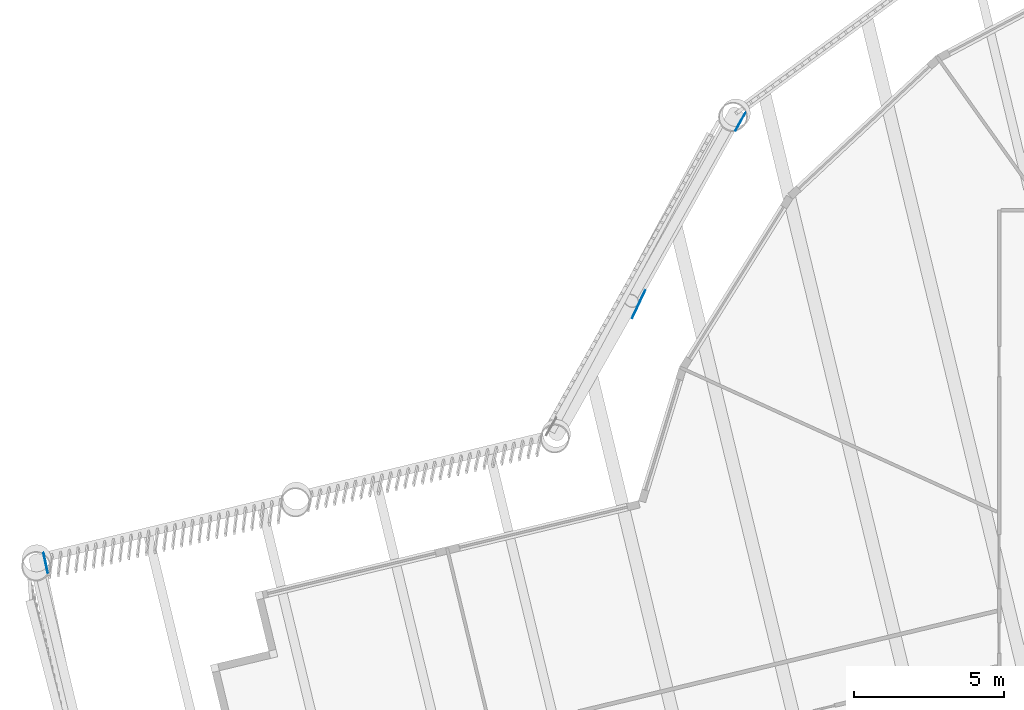
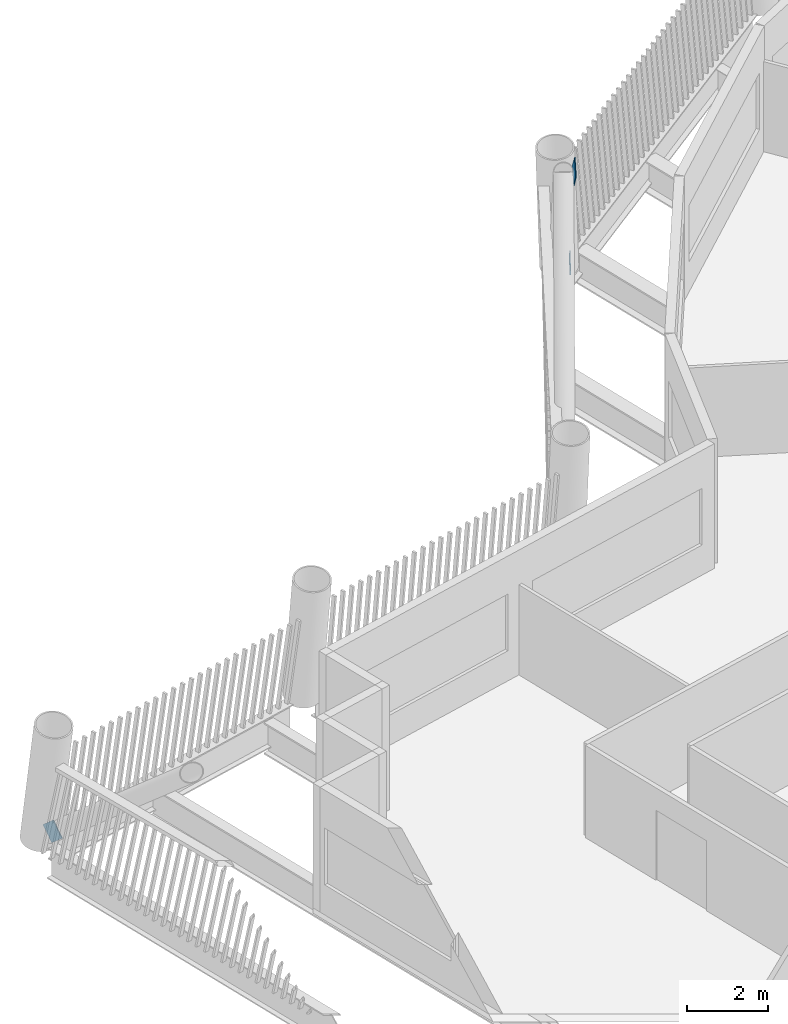
# One storey, part 9 of 22: 3 discrete accessories.
"""IFC4 building model written with IfcOpenShell, lengths in metres."""

from ifc_helpers import new_model, si_unit, direction, frame, origin, origin_2d, place, context, subcontext, project, spatial, rectangle, extrude, material, material_profile, profile_set, type_object, element, save


model = new_model("IFC4")

# Units and contexts
model_context = context("Model", 3, precision=1e-05, world=origin(), true_north=direction((0.0, 1.0)))
body_context = subcontext(model_context, "Body", "Model", "MODEL_VIEW")
ifc_project = project(units=[si_unit("LENGTHUNIT", "METRE"), si_unit("AREAUNIT", "SQUARE_METRE"), si_unit("VOLUMEUNIT", "CUBIC_METRE"), si_unit("PLANEANGLEUNIT", "RADIAN"), si_unit("MASSUNIT", "GRAM", prefix="KILO")], contexts=[model_context])

# Site, building, storey
site_placement = place(None, origin())
site = spatial("IfcSite", under=ifc_project, at=site_placement, CompositionType="ELEMENT")
building_placement = place(site_placement, origin())
building = spatial("IfcBuilding", under=site, at=building_placement, Name="Tarsis Ring Headquarters", CompositionType="ELEMENT")
storey_placement = place(building_placement, frame((0.0, 0.0, 339.199951171875)))
storey = spatial("IfcBuildingStorey", under=building, at=storey_placement, Name="L80", CompositionType="ELEMENT", Elevation=339.199951171875)

# Discrete accessories
ifc_material = material(Name="Structural steel S355", Category="steel")
ifc_material_profile = material_profile(ifc_material, rectangle(XDim=0.02490234375, YDim=0.5, at=origin_2d()), Name="PL 25x500")
ifc_profile_set = profile_set([ifc_material_profile], Name="Structural steel S355")
discrete_accessory_type = type_object("IfcDiscreteAccessoryType", Name="Gusset plate Exo brace 25", PredefinedType="BRACKET", material=ifc_profile_set)
discrete_accessory_1_placement = place(storey_placement, frame((-21.539306640625, 19.100341796875, 0.0), z_axis=(-0.329151241412, -0.59042114372, 0.736927630996), x_axis=(0.87344069371, -0.486930543888, 0.0)))
element("IfcDiscreteAccessory", 1, at=discrete_accessory_1_placement, inside=storey, type_object=discrete_accessory_type, Name="Gusset plate GP5", PredefinedType="BRACKET", context=body_context, shape_type="SweptSolid", body=[
    extrude(rectangle(XDim=0.02490234375, YDim=0.5, at=origin_2d()), origin(), (0.0, 0.0, 1.0), 0.5),
])
discrete_accessory_2_placement = place(storey_placement, frame((-24.869873046875, 13.171875, 7.431640625), z_axis=(-0.288632364949, -0.611207114609, 0.73696487091), x_axis=(0.904244771949, -0.427014510764, 0.0)))
element("IfcDiscreteAccessory", 2, at=discrete_accessory_2_placement, inside=storey, type_object=discrete_accessory_type, Name="Gusset plate GP5", PredefinedType="BRACKET", context=body_context, shape_type="SweptSolid", body=[
    extrude(rectangle(XDim=0.02490234375, YDim=0.5, at=origin_2d()), origin(), (0.0, 0.0, 1.0), 0.999755859375),
])
discrete_accessory_3_placement = place(storey_placement, frame((-44.813232421875, 4.439208984375, 0.0), z_axis=(0.156721785301, -0.737715319592, 0.656669162708), x_axis=(0.978170366322, 0.207804558299, 0.0)))
element("IfcDiscreteAccessory", 3, at=discrete_accessory_3_placement, inside=storey, type_object=discrete_accessory_type, Name="Gusset plate GP5", PredefinedType="BRACKET", context=body_context, shape_type="SweptSolid", body=[
    extrude(rectangle(XDim=0.02490234375, YDim=0.5, at=origin_2d()), origin(), (0.0, 0.0, 1.0), 0.5),
])

save(model, "model.ifc")
